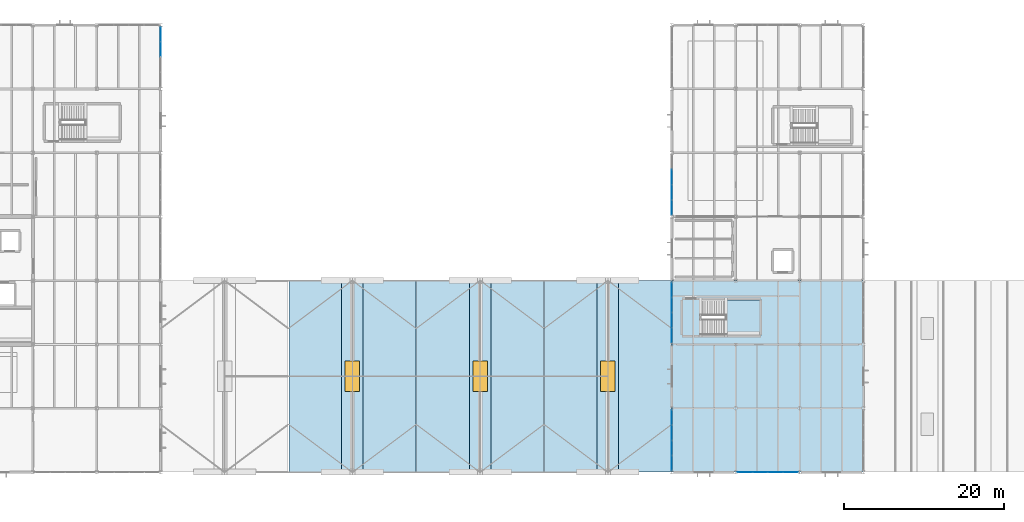
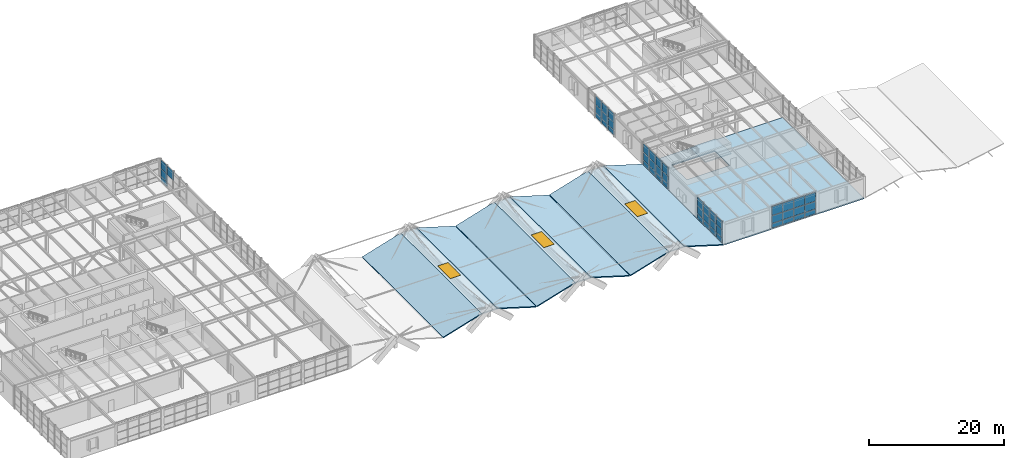
# One storey, part 34 of 50: 49 plates, 11 slabs, 3 windows, 3 openings, 6 elements without a shape of their own.
"""IFC4 building model written with IfcOpenShell, lengths in metres."""

from ifc_helpers import new_model, si_unit, direction, frame, origin, origin_2d, place, context, subcontext, project, spatial, polyline, rectangle, outline, extrude, material, layer, layer_set, type_object, element, fill, aggregate, save


model = new_model("IFC4")

# Units and contexts
model_context = context("Model", 3, precision=1e-05, world=origin(), true_north=direction((0.0, 1.0)))
body_context = subcontext(model_context, "Body", "Model", "MODEL_VIEW")
ifc_project = project(units=[si_unit("LENGTHUNIT", "METRE"), si_unit("AREAUNIT", "SQUARE_METRE"), si_unit("VOLUMEUNIT", "CUBIC_METRE"), si_unit("PLANEANGLEUNIT", "RADIAN"), si_unit("MASSUNIT", "GRAM", prefix="KILO")], contexts=[model_context])

# Site, building, storey
site_placement = place(None, origin())
site = spatial("IfcSite", under=ifc_project, at=site_placement, CompositionType="ELEMENT")
building_placement = place(site_placement, origin())
building = spatial("IfcBuilding", under=site, at=building_placement, Name="Varnela Railside Interchange", CompositionType="ELEMENT")
storey_placement = place(building_placement, frame((0.0, 0.0, 15.39990234375)))
storey = spatial("IfcBuildingStorey", under=building, at=storey_placement, Name="L03", CompositionType="ELEMENT", Elevation=15.39990234375)

# Curtain wall, plates
ifc_material_1 = material(Name="Aluminium 6063-T6", Category="aluminium")
ifc_layer_1 = layer(ifc_material_1, 0.035888671875)
ifc_layer_set_1 = layer_set([ifc_layer_1], Name="Aluminium 6063-T6")
curtain_wall_type_1 = type_object("IfcCurtainWallType", Name="Operations Wing Facade Curtain Wall CW-03", PredefinedType="USERDEFINED", material=ifc_layer_set_1)
curtain_wall_1_placement = place(storey_placement, origin())
curtain_wall_1 = element("IfcCurtainWall", 1, at=curtain_wall_1_placement, inside=storey, type_object=curtain_wall_type_1, Name="Curtain Wall CW-03 (L03) (CW-085)", ObjectType="CURTAIN WALL", PredefinedType="USERDEFINED")
ifc_material_2 = material(Name="Glass laminated double", Category="glass")
ifc_layer_2 = layer(ifc_material_2, 0.0400390625)
ifc_layer_set_2 = layer_set([ifc_layer_2], Name="Glass laminated double")
plate_type_1 = type_object("IfcPlateType", Name="Acoustic Laminated Vision GL-03", PredefinedType="CURTAIN_PANEL", material=ifc_layer_set_2)
plate_1_placement = place(storey_placement, frame((52.0, 92.846923828125, 0.06005859375), z_axis=(0.0, 0.0, 1.0), x_axis=(0.0, -1.0, 0.0)))
plate_1 = element("IfcPlate", 2, at=plate_1_placement, type_object=plate_type_1, Name="CW-03 panel 1.1", PredefinedType="CURTAIN_PANEL", context=body_context, shape_type="SweptSolid", body=[
    extrude(rectangle(XDim=1.818115234375, YDim=0.0400390625, at=origin_2d()), origin(), (0.0, 0.0, 1.0), 0.81005859375),
])
plate_2_placement = place(storey_placement, frame((52.0, 92.846923828125, 0.93017578125), z_axis=(0.0, 0.0, 1.0), x_axis=(0.0, -1.0, 0.0)))
plate_2 = element("IfcPlate", 3, at=plate_2_placement, type_object=plate_type_1, Name="CW-03 panel 1.2", PredefinedType="CURTAIN_PANEL", context=body_context, shape_type="SweptSolid", body=[
    extrude(rectangle(XDim=1.818115234375, YDim=0.0400390625, at=origin_2d()), origin(), (0.0, 0.0, 1.0), 1.360107421875),
])
plate_3_placement = place(storey_placement, frame((52.0, 92.846923828125, 2.35009765625), z_axis=(0.0, 0.0, 1.0), x_axis=(0.0, -1.0, 0.0)))
plate_3 = element("IfcPlate", 4, at=plate_3_placement, type_object=plate_type_1, Name="CW-03 panel 1.3", PredefinedType="CURTAIN_PANEL", context=body_context, shape_type="SweptSolid", body=[
    extrude(rectangle(XDim=1.818115234375, YDim=0.0400390625, at=origin_2d()), origin(), (0.0, 0.0, 1.0), 1.590087890625),
])
plate_4_placement = place(storey_placement, frame((52.0, 90.9541015625, 2.35009765625), z_axis=(0.0, 0.0, 1.0), x_axis=(0.0, -1.0, 0.0)))
plate_4 = element("IfcPlate", 5, at=plate_4_placement, type_object=plate_type_1, Name="CW-03 panel 2.3", PredefinedType="CURTAIN_PANEL", context=body_context, shape_type="SweptSolid", body=[
    extrude(rectangle(XDim=1.847900390625, YDim=0.0400390625, at=origin_2d()), origin(), (0.0, 0.0, 1.0), 1.590087890625),
])
aggregate(curtain_wall_1, [plate_1, plate_2, plate_3, plate_4])

# Slabs
ifc_material_3 = material(Name="Concrete C40", Category="concrete")
ifc_layer_3 = layer(ifc_material_3, 0.179931640625)
ifc_layer_set_3 = layer_set([ifc_layer_3], Name="Concrete C40")
slab_type_1 = type_object("IfcSlabType", Name="Cable-Net Concourse Faceted Roof Panel CN-01", PredefinedType="ROOF", material=ifc_layer_set_3)
for number, where, z_axis, x_axis, name in (
    (6, (68.06005859375, 38.0, -0.014892578125), (-0.291341852088, 0.0, 0.956619007349), (0.956619007349, 0.0, 0.291341852088), "Cable-Net Concourse Faceted Roof Panel CN-01 (L03) (SL-0165)"),
    (7, (77.340087890625, 38.0, 1.9951171875), (0.291341852088, 0.0, 0.956619007349), (0.956619007349, 0.0, -0.291341852088), "Cable-Net Concourse Faceted Roof Panel CN-01 (L03) (SL-0166)"),
    (8, (84.06005859375, 38.0, -0.014892578125), (-0.291341852088, 0.0, 0.956619007349), (0.956619007349, 0.0, 0.291341852088), "Cable-Net Concourse Faceted Roof Panel CN-01 (L03) (SL-0167)"),
    (9, (93.340087890625, 38.0, 1.9951171875), (0.291341852088, 0.0, 0.956619007349), (0.956619007349, 0.0, -0.291341852088), "Cable-Net Concourse Faceted Roof Panel CN-01 (L03) (SL-0168)"),
    (10, (100.06005859375, 38.0, -0.014892578125), (-0.291341852088, 0.0, 0.956619007349), (0.956619007349, 0.0, 0.291341852088), "Cable-Net Concourse Faceted Roof Panel CN-01 (L03) (SL-0169)"),
    (11, (109.340087890625, 38.0, 1.9951171875), (0.291341852088, 0.0, 0.956619007349), (0.956619007349, 0.0, -0.291341852088), "Cable-Net Concourse Faceted Roof Panel CN-01 (L03) (SL-0170)"),
):
    element("IfcSlab", number, at=place(storey_placement, frame(where, z_axis=z_axis, x_axis=x_axis)), inside=storey, type_object=slab_type_1, Name=name, PredefinedType="ROOF", context=body_context, shape_type="SweptSolid", body=[
        extrude(outline(polyline([(0.0, 0.0), (6.89914528660004, 0.0), (6.89914528660004, 24.0), (0.0, 24.0), (0.0, 0.0)])), origin(), (0.0, 0.0, -1.0), 0.179931640625),
    ])
ifc_layer_4 = layer(ifc_material_3, 0.199951171875)
ifc_layer_set_4 = layer_set([ifc_layer_4], Name="Concrete C40")
slab_type_2 = type_object("IfcSlabType", Name="Library & Canteen Composite Slab SL-200A", PredefinedType="FLOOR", material=ifc_layer_set_4)
slab_1_placement = place(storey_placement, frame((0.0, 0.0, -0.199951171875)))
element("IfcSlab", 12, at=slab_1_placement, inside=storey, type_object=slab_type_2, Name="Library & Canteen Composite Slab SL-200A (L03) (SL-0154)", PredefinedType="FLOOR", context=body_context, shape_type="SweptSolid", body=[
    extrude(outline(polyline([(116.0, 38.0), (140.0, 38.0), (140.0, 62.0), (116.0, 62.0), (116.0, 38.0)]), holes=[polyline([(119.6298828125, 55.199951171875), (127.0, 55.199951171875), (127.0, 59.60009765625), (119.6298828125, 59.60009765625), (119.6298828125, 55.199951171875)])]), origin(), (0.0, 0.0, 1.0), 0.199951171875),
])

# Curtain wall, plates
ifc_layer_5 = layer(ifc_material_1, 0.035888671875)
ifc_layer_set_5 = layer_set([ifc_layer_5], Name="Aluminium 6063-T6")
curtain_wall_type_2 = type_object("IfcCurtainWallType", Name="Study Pavilion Gallery Curtain Wall CW-02", PredefinedType="USERDEFINED", material=ifc_layer_set_5)
curtain_wall_2_placement = place(storey_placement, origin())
curtain_wall_2 = element("IfcCurtainWall", 13, at=curtain_wall_2_placement, inside=storey, type_object=curtain_wall_type_2, Name="Curtain Wall CW-02 (L03) (CW-088)", ObjectType="CURTAIN WALL", PredefinedType="USERDEFINED")
ifc_layer_6 = layer(ifc_material_2, 0.02001953125)
ifc_layer_set_6 = layer_set([ifc_layer_6], Name="Glass laminated double")
plate_type_2 = type_object("IfcPlateType", Name="Low-E Vision Glazing Panel GL-01", PredefinedType="CURTAIN_PANEL", material=ifc_layer_set_6)
plate_5_placement = place(storey_placement, frame((130.84521484375, 38.0, 0.06005859375), z_axis=(0.0, 0.0, 1.0), x_axis=(-1.0, 0.0, 0.0)))
plate_5 = element("IfcPlate", 14, at=plate_5_placement, type_object=plate_type_2, Name="CW-02 panel 1.1", PredefinedType="CURTAIN_PANEL", context=body_context, shape_type="SweptSolid", body=[
    extrude(rectangle(XDim=1.816650390625, YDim=0.02001953125, at=origin_2d()), origin(), (0.0, 0.0, 1.0), 0.81005859375),
])
plate_6_placement = place(storey_placement, frame((130.84521484375, 38.0, 0.93017578125), z_axis=(0.0, 0.0, 1.0), x_axis=(-1.0, 0.0, 0.0)))
plate_6 = element("IfcPlate", 15, at=plate_6_placement, type_object=plate_type_2, Name="CW-02 panel 1.2", PredefinedType="CURTAIN_PANEL", context=body_context, shape_type="SweptSolid", body=[
    extrude(rectangle(XDim=1.816650390625, YDim=0.02001953125, at=origin_2d()), origin(), (0.0, 0.0, 1.0), 1.360107421875),
])
plate_7_placement = place(storey_placement, frame((130.84521484375, 38.0, 2.35009765625), z_axis=(0.0, 0.0, 1.0), x_axis=(-1.0, 0.0, 0.0)))
plate_7 = element("IfcPlate", 16, at=plate_7_placement, type_object=plate_type_2, Name="CW-02 panel 1.3", PredefinedType="CURTAIN_PANEL", context=body_context, shape_type="SweptSolid", body=[
    extrude(rectangle(XDim=1.816650390625, YDim=0.02001953125, at=origin_2d()), origin(), (0.0, 0.0, 1.0), 1.590087890625),
])
plate_8_placement = place(storey_placement, frame((128.953369140625, 38.0, 0.06005859375), z_axis=(0.0, 0.0, 1.0), x_axis=(-1.0, 0.0, 0.0)))
plate_8 = element("IfcPlate", 17, at=plate_8_placement, type_object=plate_type_2, Name="CW-02 panel 2.1", PredefinedType="CURTAIN_PANEL", context=body_context, shape_type="SweptSolid", body=[
    extrude(rectangle(XDim=1.8466796875, YDim=0.02001953125, at=origin_2d()), origin(), (0.0, 0.0, 1.0), 0.81005859375),
])
plate_9_placement = place(storey_placement, frame((128.953369140625, 38.0, 0.93017578125), z_axis=(0.0, 0.0, 1.0), x_axis=(-1.0, 0.0, 0.0)))
plate_9 = element("IfcPlate", 18, at=plate_9_placement, type_object=plate_type_2, Name="CW-02 panel 2.2", PredefinedType="CURTAIN_PANEL", context=body_context, shape_type="SweptSolid", body=[
    extrude(rectangle(XDim=1.8466796875, YDim=0.02001953125, at=origin_2d()), origin(), (0.0, 0.0, 1.0), 1.360107421875),
])
plate_10_placement = place(storey_placement, frame((128.953369140625, 38.0, 2.35009765625), z_axis=(0.0, 0.0, 1.0), x_axis=(-1.0, 0.0, 0.0)))
plate_10 = element("IfcPlate", 19, at=plate_10_placement, type_object=plate_type_2, Name="CW-02 panel 2.3", PredefinedType="CURTAIN_PANEL", context=body_context, shape_type="SweptSolid", body=[
    extrude(rectangle(XDim=1.8466796875, YDim=0.02001953125, at=origin_2d()), origin(), (0.0, 0.0, 1.0), 1.590087890625),
])
plate_11_placement = place(storey_placement, frame((127.046630859375, 38.0, 0.06005859375), z_axis=(0.0, 0.0, 1.0), x_axis=(-1.0, 0.0, 0.0)))
plate_11 = element("IfcPlate", 20, at=plate_11_placement, type_object=plate_type_2, Name="CW-02 panel 3.1", PredefinedType="CURTAIN_PANEL", context=body_context, shape_type="SweptSolid", body=[
    extrude(rectangle(XDim=1.8466796875, YDim=0.02001953125, at=origin_2d()), origin(), (0.0, 0.0, 1.0), 0.81005859375),
])
plate_12_placement = place(storey_placement, frame((127.046630859375, 38.0, 0.93017578125), z_axis=(0.0, 0.0, 1.0), x_axis=(-1.0, 0.0, 0.0)))
plate_12 = element("IfcPlate", 21, at=plate_12_placement, type_object=plate_type_2, Name="CW-02 panel 3.2", PredefinedType="CURTAIN_PANEL", context=body_context, shape_type="SweptSolid", body=[
    extrude(rectangle(XDim=1.8466796875, YDim=0.02001953125, at=origin_2d()), origin(), (0.0, 0.0, 1.0), 1.360107421875),
])
plate_13_placement = place(storey_placement, frame((127.046630859375, 38.0, 2.35009765625), z_axis=(0.0, 0.0, 1.0), x_axis=(-1.0, 0.0, 0.0)))
plate_13 = element("IfcPlate", 22, at=plate_13_placement, type_object=plate_type_2, Name="CW-02 panel 3.3", PredefinedType="CURTAIN_PANEL", context=body_context, shape_type="SweptSolid", body=[
    extrude(rectangle(XDim=1.8466796875, YDim=0.02001953125, at=origin_2d()), origin(), (0.0, 0.0, 1.0), 1.590087890625),
])
plate_14_placement = place(storey_placement, frame((125.15478515625, 38.0, 0.06005859375), z_axis=(0.0, 0.0, 1.0), x_axis=(-1.0, 0.0, 0.0)))
plate_14 = element("IfcPlate", 23, at=plate_14_placement, type_object=plate_type_2, Name="CW-02 panel 4.1", PredefinedType="CURTAIN_PANEL", context=body_context, shape_type="SweptSolid", body=[
    extrude(rectangle(XDim=1.816650390625, YDim=0.02001953125, at=origin_2d()), origin(), (0.0, 0.0, 1.0), 0.81005859375),
])
plate_15_placement = place(storey_placement, frame((125.15478515625, 38.0, 0.93017578125), z_axis=(0.0, 0.0, 1.0), x_axis=(-1.0, 0.0, 0.0)))
plate_15 = element("IfcPlate", 24, at=plate_15_placement, type_object=plate_type_2, Name="CW-02 panel 4.2", PredefinedType="CURTAIN_PANEL", context=body_context, shape_type="SweptSolid", body=[
    extrude(rectangle(XDim=1.816650390625, YDim=0.02001953125, at=origin_2d()), origin(), (0.0, 0.0, 1.0), 1.360107421875),
])
plate_16_placement = place(storey_placement, frame((125.15478515625, 38.0, 2.35009765625), z_axis=(0.0, 0.0, 1.0), x_axis=(-1.0, 0.0, 0.0)))
plate_16 = element("IfcPlate", 25, at=plate_16_placement, type_object=plate_type_2, Name="CW-02 panel 4.3", PredefinedType="CURTAIN_PANEL", context=body_context, shape_type="SweptSolid", body=[
    extrude(rectangle(XDim=1.816650390625, YDim=0.02001953125, at=origin_2d()), origin(), (0.0, 0.0, 1.0), 1.590087890625),
])
aggregate(curtain_wall_2, [plate_5, plate_6, plate_7, plate_8, plate_9, plate_10, plate_11, plate_12, plate_13, plate_14, plate_15, plate_16])

ifc_layer_7 = layer(ifc_material_1, 0.035888671875)
ifc_layer_set_7 = layer_set([ifc_layer_7], Name="Aluminium 6063-T6")
curtain_wall_type_3 = type_object("IfcCurtainWallType", Name="Concourse Triple-Height Curtain Wall CW-01", PredefinedType="USERDEFINED", material=ifc_layer_set_7)
curtain_wall_3_placement = place(storey_placement, origin())
curtain_wall_3 = element("IfcCurtainWall", 26, at=curtain_wall_3_placement, inside=storey, type_object=curtain_wall_type_3, Name="Curtain Wall CW-01 (L03) (CW-089)", ObjectType="CURTAIN WALL", PredefinedType="USERDEFINED")
plate_17_placement = place(storey_placement, frame((116.0, 39.154296875, 0.06494140625), z_axis=(0.0, 0.0, 1.0), x_axis=(0.0, 1.0, 0.0)))
plate_17 = element("IfcPlate", 27, at=plate_17_placement, type_object=plate_type_2, Name="CW-01 panel 1.1", PredefinedType="CURTAIN_PANEL", context=body_context, shape_type="SweptSolid", body=[
    extrude(rectangle(XDim=1.810546875, YDim=0.02001953125, at=origin_2d()), origin(), (0.0, 0.0, 1.0), 0.802490234375),
])
plate_18_placement = place(storey_placement, frame((116.0, 39.154296875, 0.9326171875), z_axis=(0.0, 0.0, 1.0), x_axis=(0.0, 1.0, 0.0)))
plate_18 = element("IfcPlate", 28, at=plate_18_placement, type_object=plate_type_2, Name="CW-01 panel 1.2", PredefinedType="CURTAIN_PANEL", context=body_context, shape_type="SweptSolid", body=[
    extrude(rectangle(XDim=1.810546875, YDim=0.02001953125, at=origin_2d()), origin(), (0.0, 0.0, 1.0), 1.35498046875),
])
plate_19_placement = place(storey_placement, frame((116.0, 39.154296875, 2.3525390625), z_axis=(0.0, 0.0, 1.0), x_axis=(0.0, 1.0, 0.0)))
plate_19 = element("IfcPlate", 29, at=plate_19_placement, type_object=plate_type_2, Name="CW-01 panel 1.3", PredefinedType="CURTAIN_PANEL", context=body_context, shape_type="SweptSolid", body=[
    extrude(rectangle(XDim=1.810546875, YDim=0.02001953125, at=origin_2d()), origin(), (0.0, 0.0, 1.0), 1.58251953125),
])
plate_20_placement = place(storey_placement, frame((116.0, 41.0458984375, 0.06494140625), z_axis=(0.0, 0.0, 1.0), x_axis=(0.0, 1.0, 0.0)))
plate_20 = element("IfcPlate", 30, at=plate_20_placement, type_object=plate_type_2, Name="CW-01 panel 2.1", PredefinedType="CURTAIN_PANEL", context=body_context, shape_type="SweptSolid", body=[
    extrude(rectangle(XDim=1.843017578125, YDim=0.02001953125, at=origin_2d()), origin(), (0.0, 0.0, 1.0), 0.802490234375),
])
plate_21_placement = place(storey_placement, frame((116.0, 41.0458984375, 0.9326171875), z_axis=(0.0, 0.0, 1.0), x_axis=(0.0, 1.0, 0.0)))
plate_21 = element("IfcPlate", 31, at=plate_21_placement, type_object=plate_type_2, Name="CW-01 panel 2.2", PredefinedType="CURTAIN_PANEL", context=body_context, shape_type="SweptSolid", body=[
    extrude(rectangle(XDim=1.843017578125, YDim=0.02001953125, at=origin_2d()), origin(), (0.0, 0.0, 1.0), 1.35498046875),
])
plate_22_placement = place(storey_placement, frame((116.0, 41.0458984375, 2.3525390625), z_axis=(0.0, 0.0, 1.0), x_axis=(0.0, 1.0, 0.0)))
plate_22 = element("IfcPlate", 32, at=plate_22_placement, type_object=plate_type_2, Name="CW-01 panel 2.3", PredefinedType="CURTAIN_PANEL", context=body_context, shape_type="SweptSolid", body=[
    extrude(rectangle(XDim=1.843017578125, YDim=0.02001953125, at=origin_2d()), origin(), (0.0, 0.0, 1.0), 1.58251953125),
])
plate_23_placement = place(storey_placement, frame((116.0, 42.9541015625, 0.06494140625), z_axis=(0.0, 0.0, 1.0), x_axis=(0.0, 1.0, 0.0)))
plate_23 = element("IfcPlate", 33, at=plate_23_placement, type_object=plate_type_2, Name="CW-01 panel 3.1", PredefinedType="CURTAIN_PANEL", context=body_context, shape_type="SweptSolid", body=[
    extrude(rectangle(XDim=1.843017578125, YDim=0.02001953125, at=origin_2d()), origin(), (0.0, 0.0, 1.0), 0.802490234375),
])
plate_24_placement = place(storey_placement, frame((116.0, 42.9541015625, 0.9326171875), z_axis=(0.0, 0.0, 1.0), x_axis=(0.0, 1.0, 0.0)))
plate_24 = element("IfcPlate", 34, at=plate_24_placement, type_object=plate_type_2, Name="CW-01 panel 3.2", PredefinedType="CURTAIN_PANEL", context=body_context, shape_type="SweptSolid", body=[
    extrude(rectangle(XDim=1.843017578125, YDim=0.02001953125, at=origin_2d()), origin(), (0.0, 0.0, 1.0), 1.35498046875),
])
plate_25_placement = place(storey_placement, frame((116.0, 42.9541015625, 2.3525390625), z_axis=(0.0, 0.0, 1.0), x_axis=(0.0, 1.0, 0.0)))
plate_25 = element("IfcPlate", 35, at=plate_25_placement, type_object=plate_type_2, Name="CW-01 panel 3.3", PredefinedType="CURTAIN_PANEL", context=body_context, shape_type="SweptSolid", body=[
    extrude(rectangle(XDim=1.843017578125, YDim=0.02001953125, at=origin_2d()), origin(), (0.0, 0.0, 1.0), 1.58251953125),
])
plate_26_placement = place(storey_placement, frame((116.0, 44.845703125, 0.06494140625), z_axis=(0.0, 0.0, 1.0), x_axis=(0.0, 1.0, 0.0)))
plate_26 = element("IfcPlate", 36, at=plate_26_placement, type_object=plate_type_2, Name="CW-01 panel 4.1", PredefinedType="CURTAIN_PANEL", context=body_context, shape_type="SweptSolid", body=[
    extrude(rectangle(XDim=1.810546875, YDim=0.02001953125, at=origin_2d()), origin(), (0.0, 0.0, 1.0), 0.802490234375),
])
plate_27_placement = place(storey_placement, frame((116.0, 44.845703125, 0.9326171875), z_axis=(0.0, 0.0, 1.0), x_axis=(0.0, 1.0, 0.0)))
plate_27 = element("IfcPlate", 37, at=plate_27_placement, type_object=plate_type_2, Name="CW-01 panel 4.2", PredefinedType="CURTAIN_PANEL", context=body_context, shape_type="SweptSolid", body=[
    extrude(rectangle(XDim=1.810546875, YDim=0.02001953125, at=origin_2d()), origin(), (0.0, 0.0, 1.0), 1.35498046875),
])
plate_28_placement = place(storey_placement, frame((116.0, 44.845703125, 2.3525390625), z_axis=(0.0, 0.0, 1.0), x_axis=(0.0, 1.0, 0.0)))
plate_28 = element("IfcPlate", 38, at=plate_28_placement, type_object=plate_type_2, Name="CW-01 panel 4.3", PredefinedType="CURTAIN_PANEL", context=body_context, shape_type="SweptSolid", body=[
    extrude(rectangle(XDim=1.810546875, YDim=0.02001953125, at=origin_2d()), origin(), (0.0, 0.0, 1.0), 1.58251953125),
])
aggregate(curtain_wall_3, [plate_17, plate_18, plate_19, plate_20, plate_21, plate_22, plate_23, plate_24, plate_25, plate_26, plate_27, plate_28])

curtain_wall_4_placement = place(storey_placement, origin())
curtain_wall_4 = element("IfcCurtainWall", 39, at=curtain_wall_4_placement, inside=storey, type_object=curtain_wall_type_3, Name="Curtain Wall CW-01 (L03) (CW-090)", ObjectType="CURTAIN WALL", PredefinedType="USERDEFINED")
plate_29_placement = place(storey_placement, frame((116.0, 55.154296875, 0.06494140625), z_axis=(0.0, 0.0, 1.0), x_axis=(0.0, 1.0, 0.0)))
plate_29 = element("IfcPlate", 40, at=plate_29_placement, type_object=plate_type_2, Name="CW-01 panel 1.1", PredefinedType="CURTAIN_PANEL", context=body_context, shape_type="SweptSolid", body=[
    extrude(rectangle(XDim=1.810546875, YDim=0.02001953125, at=origin_2d()), origin(), (0.0, 0.0, 1.0), 0.802490234375),
])
plate_30_placement = place(storey_placement, frame((116.0, 55.154296875, 0.9326171875), z_axis=(0.0, 0.0, 1.0), x_axis=(0.0, 1.0, 0.0)))
plate_30 = element("IfcPlate", 41, at=plate_30_placement, type_object=plate_type_2, Name="CW-01 panel 1.2", PredefinedType="CURTAIN_PANEL", context=body_context, shape_type="SweptSolid", body=[
    extrude(rectangle(XDim=1.810546875, YDim=0.02001953125, at=origin_2d()), origin(), (0.0, 0.0, 1.0), 1.35498046875),
])
plate_31_placement = place(storey_placement, frame((116.0, 55.154296875, 2.3525390625), z_axis=(0.0, 0.0, 1.0), x_axis=(0.0, 1.0, 0.0)))
plate_31 = element("IfcPlate", 42, at=plate_31_placement, type_object=plate_type_2, Name="CW-01 panel 1.3", PredefinedType="CURTAIN_PANEL", context=body_context, shape_type="SweptSolid", body=[
    extrude(rectangle(XDim=1.810546875, YDim=0.02001953125, at=origin_2d()), origin(), (0.0, 0.0, 1.0), 1.58251953125),
])
plate_32_placement = place(storey_placement, frame((116.0, 57.0458984375, 0.06494140625), z_axis=(0.0, 0.0, 1.0), x_axis=(0.0, 1.0, 0.0)))
plate_32 = element("IfcPlate", 43, at=plate_32_placement, type_object=plate_type_2, Name="CW-01 panel 2.1", PredefinedType="CURTAIN_PANEL", context=body_context, shape_type="SweptSolid", body=[
    extrude(rectangle(XDim=1.843017578125, YDim=0.02001953125, at=origin_2d()), origin(), (0.0, 0.0, 1.0), 0.802490234375),
])
plate_33_placement = place(storey_placement, frame((116.0, 57.0458984375, 0.9326171875), z_axis=(0.0, 0.0, 1.0), x_axis=(0.0, 1.0, 0.0)))
plate_33 = element("IfcPlate", 44, at=plate_33_placement, type_object=plate_type_2, Name="CW-01 panel 2.2", PredefinedType="CURTAIN_PANEL", context=body_context, shape_type="SweptSolid", body=[
    extrude(rectangle(XDim=1.843017578125, YDim=0.02001953125, at=origin_2d()), origin(), (0.0, 0.0, 1.0), 1.35498046875),
])
plate_34_placement = place(storey_placement, frame((116.0, 57.0458984375, 2.3525390625), z_axis=(0.0, 0.0, 1.0), x_axis=(0.0, 1.0, 0.0)))
plate_34 = element("IfcPlate", 45, at=plate_34_placement, type_object=plate_type_2, Name="CW-01 panel 2.3", PredefinedType="CURTAIN_PANEL", context=body_context, shape_type="SweptSolid", body=[
    extrude(rectangle(XDim=1.843017578125, YDim=0.02001953125, at=origin_2d()), origin(), (0.0, 0.0, 1.0), 1.58251953125),
])
plate_35_placement = place(storey_placement, frame((116.0, 58.9541015625, 0.06494140625), z_axis=(0.0, 0.0, 1.0), x_axis=(0.0, 1.0, 0.0)))
plate_35 = element("IfcPlate", 46, at=plate_35_placement, type_object=plate_type_2, Name="CW-01 panel 3.1", PredefinedType="CURTAIN_PANEL", context=body_context, shape_type="SweptSolid", body=[
    extrude(rectangle(XDim=1.843017578125, YDim=0.02001953125, at=origin_2d()), origin(), (0.0, 0.0, 1.0), 0.802490234375),
])
plate_36_placement = place(storey_placement, frame((116.0, 58.9541015625, 0.9326171875), z_axis=(0.0, 0.0, 1.0), x_axis=(0.0, 1.0, 0.0)))
plate_36 = element("IfcPlate", 47, at=plate_36_placement, type_object=plate_type_2, Name="CW-01 panel 3.2", PredefinedType="CURTAIN_PANEL", context=body_context, shape_type="SweptSolid", body=[
    extrude(rectangle(XDim=1.843017578125, YDim=0.02001953125, at=origin_2d()), origin(), (0.0, 0.0, 1.0), 1.35498046875),
])
plate_37_placement = place(storey_placement, frame((116.0, 58.9541015625, 2.3525390625), z_axis=(0.0, 0.0, 1.0), x_axis=(0.0, 1.0, 0.0)))
plate_37 = element("IfcPlate", 48, at=plate_37_placement, type_object=plate_type_2, Name="CW-01 panel 3.3", PredefinedType="CURTAIN_PANEL", context=body_context, shape_type="SweptSolid", body=[
    extrude(rectangle(XDim=1.843017578125, YDim=0.02001953125, at=origin_2d()), origin(), (0.0, 0.0, 1.0), 1.58251953125),
])
plate_38_placement = place(storey_placement, frame((116.0, 60.845703125, 0.06494140625), z_axis=(0.0, 0.0, 1.0), x_axis=(0.0, 1.0, 0.0)))
plate_38 = element("IfcPlate", 49, at=plate_38_placement, type_object=plate_type_2, Name="CW-01 panel 4.1", PredefinedType="CURTAIN_PANEL", context=body_context, shape_type="SweptSolid", body=[
    extrude(rectangle(XDim=1.810546875, YDim=0.02001953125, at=origin_2d()), origin(), (0.0, 0.0, 1.0), 0.802490234375),
])
plate_39_placement = place(storey_placement, frame((116.0, 60.845703125, 0.9326171875), z_axis=(0.0, 0.0, 1.0), x_axis=(0.0, 1.0, 0.0)))
plate_39 = element("IfcPlate", 50, at=plate_39_placement, type_object=plate_type_2, Name="CW-01 panel 4.2", PredefinedType="CURTAIN_PANEL", context=body_context, shape_type="SweptSolid", body=[
    extrude(rectangle(XDim=1.810546875, YDim=0.02001953125, at=origin_2d()), origin(), (0.0, 0.0, 1.0), 1.35498046875),
])
plate_40_placement = place(storey_placement, frame((116.0, 60.845703125, 2.3525390625), z_axis=(0.0, 0.0, 1.0), x_axis=(0.0, 1.0, 0.0)))
plate_40 = element("IfcPlate", 51, at=plate_40_placement, type_object=plate_type_2, Name="CW-01 panel 4.3", PredefinedType="CURTAIN_PANEL", context=body_context, shape_type="SweptSolid", body=[
    extrude(rectangle(XDim=1.810546875, YDim=0.02001953125, at=origin_2d()), origin(), (0.0, 0.0, 1.0), 1.58251953125),
])
aggregate(curtain_wall_4, [plate_29, plate_30, plate_31, plate_32, plate_33, plate_34, plate_35, plate_36, plate_37, plate_38, plate_39, plate_40])

curtain_wall_5_placement = place(storey_placement, origin())
curtain_wall_5 = element("IfcCurtainWall", 52, at=curtain_wall_5_placement, inside=storey, type_object=curtain_wall_type_2, Name="Curtain Wall CW-02 (L03) (CW-091)", ObjectType="CURTAIN WALL", PredefinedType="USERDEFINED")
plate_41_placement = place(storey_placement, frame((116.0, 71.153076171875, 0.06005859375), z_axis=(0.0, 0.0, 1.0), x_axis=(0.0, 1.0, 0.0)))
plate_41 = element("IfcPlate", 53, at=plate_41_placement, type_object=plate_type_2, Name="CW-02 panel 1.1", PredefinedType="CURTAIN_PANEL", context=body_context, shape_type="SweptSolid", body=[
    extrude(rectangle(XDim=1.818115234375, YDim=0.02001953125, at=origin_2d()), origin(), (0.0, 0.0, 1.0), 0.81005859375),
])
plate_42_placement = place(storey_placement, frame((116.0, 71.153076171875, 0.93017578125), z_axis=(0.0, 0.0, 1.0), x_axis=(0.0, 1.0, 0.0)))
plate_42 = element("IfcPlate", 54, at=plate_42_placement, type_object=plate_type_2, Name="CW-02 panel 1.2", PredefinedType="CURTAIN_PANEL", context=body_context, shape_type="SweptSolid", body=[
    extrude(rectangle(XDim=1.818115234375, YDim=0.02001953125, at=origin_2d()), origin(), (0.0, 0.0, 1.0), 1.360107421875),
])
plate_43_placement = place(storey_placement, frame((116.0, 71.153076171875, 2.35009765625), z_axis=(0.0, 0.0, 1.0), x_axis=(0.0, 1.0, 0.0)))
plate_43 = element("IfcPlate", 55, at=plate_43_placement, type_object=plate_type_2, Name="CW-02 panel 1.3", PredefinedType="CURTAIN_PANEL", context=body_context, shape_type="SweptSolid", body=[
    extrude(rectangle(XDim=1.818115234375, YDim=0.02001953125, at=origin_2d()), origin(), (0.0, 0.0, 1.0), 1.590087890625),
])
plate_44_placement = place(storey_placement, frame((116.0, 73.0458984375, 0.06005859375), z_axis=(0.0, 0.0, 1.0), x_axis=(0.0, 1.0, 0.0)))
plate_44 = element("IfcPlate", 56, at=plate_44_placement, type_object=plate_type_2, Name="CW-02 panel 2.1", PredefinedType="CURTAIN_PANEL", context=body_context, shape_type="SweptSolid", body=[
    extrude(rectangle(XDim=1.847900390625, YDim=0.02001953125, at=origin_2d()), origin(), (0.0, 0.0, 1.0), 0.81005859375),
])
plate_45_placement = place(storey_placement, frame((116.0, 73.0458984375, 0.93017578125), z_axis=(0.0, 0.0, 1.0), x_axis=(0.0, 1.0, 0.0)))
plate_45 = element("IfcPlate", 57, at=plate_45_placement, type_object=plate_type_2, Name="CW-02 panel 2.2", PredefinedType="CURTAIN_PANEL", context=body_context, shape_type="SweptSolid", body=[
    extrude(rectangle(XDim=1.847900390625, YDim=0.02001953125, at=origin_2d()), origin(), (0.0, 0.0, 1.0), 1.360107421875),
])
plate_46_placement = place(storey_placement, frame((116.0, 73.0458984375, 2.35009765625), z_axis=(0.0, 0.0, 1.0), x_axis=(0.0, 1.0, 0.0)))
plate_46 = element("IfcPlate", 58, at=plate_46_placement, type_object=plate_type_2, Name="CW-02 panel 2.3", PredefinedType="CURTAIN_PANEL", context=body_context, shape_type="SweptSolid", body=[
    extrude(rectangle(XDim=1.847900390625, YDim=0.02001953125, at=origin_2d()), origin(), (0.0, 0.0, 1.0), 1.590087890625),
])
plate_47_placement = place(storey_placement, frame((116.0, 74.9541015625, 0.06005859375), z_axis=(0.0, 0.0, 1.0), x_axis=(0.0, 1.0, 0.0)))
plate_47 = element("IfcPlate", 59, at=plate_47_placement, type_object=plate_type_2, Name="CW-02 panel 3.1", PredefinedType="CURTAIN_PANEL", context=body_context, shape_type="SweptSolid", body=[
    extrude(rectangle(XDim=1.847900390625, YDim=0.02001953125, at=origin_2d()), origin(), (0.0, 0.0, 1.0), 0.81005859375),
])
plate_48_placement = place(storey_placement, frame((116.0, 74.9541015625, 0.93017578125), z_axis=(0.0, 0.0, 1.0), x_axis=(0.0, 1.0, 0.0)))
plate_48 = element("IfcPlate", 60, at=plate_48_placement, type_object=plate_type_2, Name="CW-02 panel 3.2", PredefinedType="CURTAIN_PANEL", context=body_context, shape_type="SweptSolid", body=[
    extrude(rectangle(XDim=1.847900390625, YDim=0.02001953125, at=origin_2d()), origin(), (0.0, 0.0, 1.0), 1.360107421875),
])
plate_49_placement = place(storey_placement, frame((116.0, 74.9541015625, 2.35009765625), z_axis=(0.0, 0.0, 1.0), x_axis=(0.0, 1.0, 0.0)))
plate_49 = element("IfcPlate", 61, at=plate_49_placement, type_object=plate_type_2, Name="CW-02 panel 3.3", PredefinedType="CURTAIN_PANEL", context=body_context, shape_type="SweptSolid", body=[
    extrude(rectangle(XDim=1.847900390625, YDim=0.02001953125, at=origin_2d()), origin(), (0.0, 0.0, 1.0), 1.590087890625),
])
aggregate(curtain_wall_5, [plate_41, plate_42, plate_43, plate_44, plate_45, plate_46, plate_47, plate_48, plate_49])

# Slab, opening, window
ifc_layer_8 = layer(ifc_material_3, 0.219970703125)
ifc_layer_set_8 = layer_set([ifc_layer_8], Name="Concrete C40")
slab_type_3 = type_object("IfcSlabType", Name="Maintenance Hatch Roof Slab SL-RF", PredefinedType="ROOF", material=ifc_layer_set_8)
slab_2_placement = place(storey_placement, frame((0.0, 0.0, 1.795166015625)))
slab_2 = element("IfcSlab", 62, at=slab_2_placement, inside=storey, type_object=slab_type_3, Name="Maintenance Hatch Roof Slab SL-RF (L03) (SL-0157)", PredefinedType="ROOF", context=body_context, shape_type="SweptSolid", body=[
    extrude(outline(polyline([(74.659912109375, 38.0), (77.340087890625, 38.0), (77.340087890625, 62.0), (74.659912109375, 62.0), (74.659912109375, 38.0)]), holes=[polyline([(75.10009765625, 48.10009765625), (76.89990234375, 48.10009765625), (76.89990234375, 51.89990234375), (75.10009765625, 51.89990234375), (75.10009765625, 48.10009765625)])]), origin(), (0.0, 0.0, 1.0), 0.199951171875),
])
opening_1_placement = place(slab_2_placement, frame((76.0, 50.0, -0.010009765625)))
opening_1 = element("IfcOpeningElement", 63, at=opening_1_placement, cuts=slab_2, Name="Opening SK-C2", PredefinedType="OPENING", context=body_context, shape_type="SweptSolid", body=[
    extrude(rectangle(XDim=1.800048828125, YDim=3.800048828125, at=origin_2d()), origin(), (0.0, 0.0, 1.0), 0.219970703125),
])
window_type = type_object("IfcWindowType", Name="Concourse Cable-Net Skylight SK-02", PartitioningType="SINGLE_PANEL", PredefinedType="SKYLIGHT", material=ifc_material_2)
window_1_placement = place(slab_2_placement, frame((76.0, 50.0, 0.14990234375)))
window_1 = element("IfcWindow", 64, at=window_1_placement, inside=storey, type_object=window_type, Name="Skylight SK-C2", OverallHeight=3.800048828125, OverallWidth=1.800048828125, PartitioningType="SINGLE_PANEL", PredefinedType="SKYLIGHT", context=body_context, shape_type="SweptSolid", body=[
    extrude(rectangle(XDim=1.800048828125, YDim=3.800048828125, at=origin_2d()), origin(), (0.0, 0.0, 1.0), 0.050048828125),
])
fill(opening_1, window_1)

slab_3_placement = place(storey_placement, frame((0.0, 0.0, 1.795166015625)))
slab_3 = element("IfcSlab", 65, at=slab_3_placement, inside=storey, type_object=slab_type_3, Name="Maintenance Hatch Roof Slab SL-RF (L03) (SL-0158)", PredefinedType="ROOF", context=body_context, shape_type="SweptSolid", body=[
    extrude(outline(polyline([(90.659912109375, 38.0), (93.340087890625, 38.0), (93.340087890625, 62.0), (90.659912109375, 62.0), (90.659912109375, 38.0)]), holes=[polyline([(91.10009765625, 48.10009765625), (92.89990234375, 48.10009765625), (92.89990234375, 51.89990234375), (91.10009765625, 51.89990234375), (91.10009765625, 48.10009765625)])]), origin(), (0.0, 0.0, 1.0), 0.199951171875),
])
opening_2_placement = place(slab_3_placement, frame((92.0, 50.0, -0.010009765625)))
opening_2 = element("IfcOpeningElement", 66, at=opening_2_placement, cuts=slab_3, Name="Opening SK-C3", PredefinedType="OPENING", context=body_context, shape_type="SweptSolid", body=[
    extrude(rectangle(XDim=1.800048828125, YDim=3.800048828125, at=origin_2d()), origin(), (0.0, 0.0, 1.0), 0.219970703125),
])
window_2_placement = place(slab_3_placement, frame((92.0, 50.0, 0.14990234375)))
window_2 = element("IfcWindow", 67, at=window_2_placement, inside=storey, type_object=window_type, Name="Skylight SK-C3", OverallHeight=3.800048828125, OverallWidth=1.800048828125, PartitioningType="SINGLE_PANEL", PredefinedType="SKYLIGHT", context=body_context, shape_type="SweptSolid", body=[
    extrude(rectangle(XDim=1.800048828125, YDim=3.800048828125, at=origin_2d()), origin(), (0.0, 0.0, 1.0), 0.050048828125),
])
fill(opening_2, window_2)

slab_4_placement = place(storey_placement, frame((0.0, 0.0, 1.795166015625)))
slab_4 = element("IfcSlab", 68, at=slab_4_placement, inside=storey, type_object=slab_type_3, Name="Maintenance Hatch Roof Slab SL-RF (L03) (SL-0159)", PredefinedType="ROOF", context=body_context, shape_type="SweptSolid", body=[
    extrude(outline(polyline([(106.659912109375, 38.0), (109.340087890625, 38.0), (109.340087890625, 62.0), (106.659912109375, 62.0), (106.659912109375, 38.0)]), holes=[polyline([(107.10009765625, 48.10009765625), (108.89990234375, 48.10009765625), (108.89990234375, 51.89990234375), (107.10009765625, 51.89990234375), (107.10009765625, 48.10009765625)])]), origin(), (0.0, 0.0, 1.0), 0.199951171875),
])
opening_3_placement = place(slab_4_placement, frame((108.0, 50.0, -0.010009765625)))
opening_3 = element("IfcOpeningElement", 69, at=opening_3_placement, cuts=slab_4, Name="Opening SK-C4", PredefinedType="OPENING", context=body_context, shape_type="SweptSolid", body=[
    extrude(rectangle(XDim=1.800048828125, YDim=3.800048828125, at=origin_2d()), origin(), (0.0, 0.0, 1.0), 0.219970703125),
])
window_3_placement = place(slab_4_placement, frame((108.0, 50.0, 0.14990234375)))
window_3 = element("IfcWindow", 70, at=window_3_placement, inside=storey, type_object=window_type, Name="Skylight SK-C4", OverallHeight=3.800048828125, OverallWidth=1.800048828125, PartitioningType="SINGLE_PANEL", PredefinedType="SKYLIGHT", context=body_context, shape_type="SweptSolid", body=[
    extrude(rectangle(XDim=1.800048828125, YDim=3.800048828125, at=origin_2d()), origin(), (0.0, 0.0, 1.0), 0.050048828125),
])
fill(opening_3, window_3)

# Stair, slab
stair_type = type_object("IfcStairType", Name="Study Pavilion Stair ST-180", PredefinedType="TWO_STRAIGHT_RUN_STAIR", material=ifc_material_3)
stair_placement = place(storey_placement, origin())
stair = element("IfcStair", 71, at=stair_placement, inside=storey, type_object=stair_type, Name="Stair ST-E1 (L03) (SF-175)", PredefinedType="TWO_STRAIGHT_RUN_STAIR")
ifc_layer_9 = layer(ifc_material_3, 0.159912109375)
ifc_layer_set_9 = layer_set([ifc_layer_9], Name="Concrete C40")
slab_type_4 = type_object("IfcSlabType", Name="Stair Half-Landing Slab SL-LD", PredefinedType="LANDING", material=ifc_layer_set_9)
slab_5_placement = place(storey_placement, frame((0.0, 0.0, 1.940185546875)))
slab_5 = element("IfcSlab", 72, at=slab_5_placement, type_object=slab_type_4, Name="ST-E1 landing 1 (SL-0174)", PredefinedType="LANDING", context=body_context, shape_type="SweptSolid", body=[
    extrude(outline(polyline([(122.760009765625, 55.199951171875), (127.260009765625, 55.199951171875), (127.260009765625, 59.60009765625), (122.760009765625, 59.60009765625), (122.760009765625, 55.199951171875)])), origin(), (0.0, 0.0, 1.0), 0.159912109375),
])
aggregate(stair, [slab_5])

save(model, "model.ifc")
